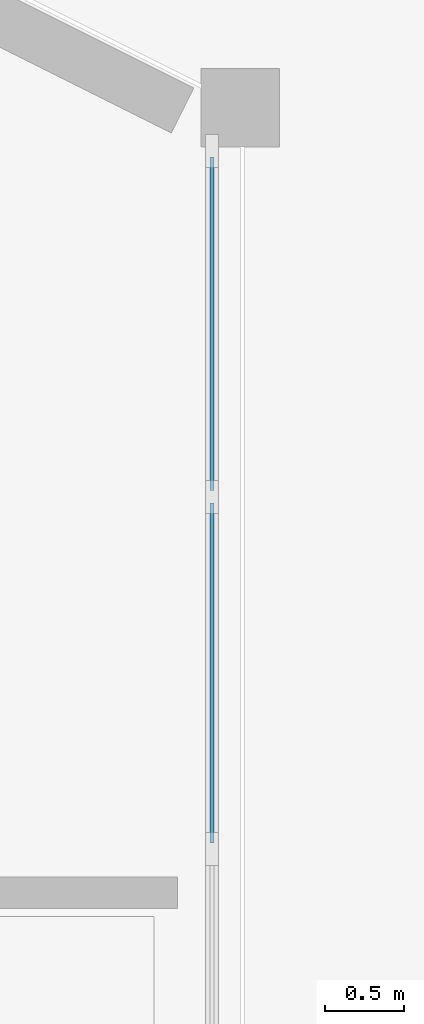
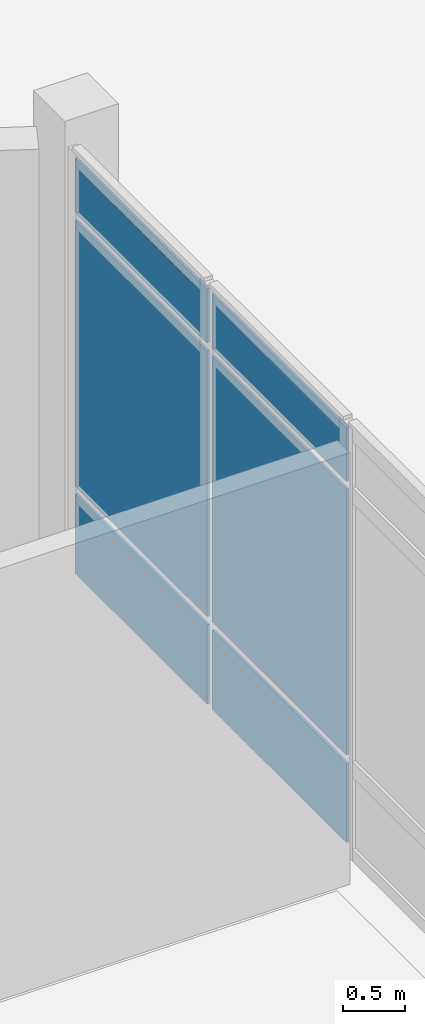
# One storey, part 24 of 58: 6 plates, 1 element without a shape of its own.
"""IFC4 building model written with IfcOpenShell, lengths in metres."""

from ifc_helpers import new_model, si_unit, direction, frame, origin, origin_2d, place, context, subcontext, project, spatial, rectangle, extrude, material, layer, layer_set, type_object, element, aggregate, save


model = new_model("IFC4")

# Units and contexts
model_context = context("Model", 3, precision=1e-05, world=origin(), true_north=direction((0.0, 1.0)))
body_context = subcontext(model_context, "Body", "Model", "MODEL_VIEW")
ifc_project = project(units=[si_unit("LENGTHUNIT", "METRE"), si_unit("AREAUNIT", "SQUARE_METRE"), si_unit("VOLUMEUNIT", "CUBIC_METRE"), si_unit("PLANEANGLEUNIT", "RADIAN"), si_unit("MASSUNIT", "GRAM", prefix="KILO")], contexts=[model_context])

# Site, building, storey
site_placement = place(None, origin())
site = spatial("IfcSite", under=ifc_project, at=site_placement, CompositionType="ELEMENT")
building_placement = place(site_placement, origin())
building = spatial("IfcBuilding", under=site, at=building_placement, Name="Brisavento Harbour Community Centre", CompositionType="ELEMENT")
storey_placement = place(building_placement, origin())
storey = spatial("IfcBuildingStorey", under=building, at=storey_placement, Name="L00", CompositionType="ELEMENT", Elevation=0.0)

# Curtain wall, plates
ifc_material_1 = material(Name="Marine-anodised aluminium AW-6063-T6", Category="aluminium")
ifc_layer_1 = layer(ifc_material_1, 0.179931640625, Name="Marine-anodised aluminium AW-6063-T6")
ifc_layer_set_1 = layer_set([ifc_layer_1], Name="Marine-anodised aluminium AW-6063-T6")
curtain_wall_type = type_object("IfcCurtainWallType", Name="CW-SYS-16", PredefinedType="USERDEFINED", material=ifc_layer_set_1)
curtain_wall_placement = place(storey_placement, origin())
curtain_wall = element("IfcCurtainWall", 1, at=curtain_wall_placement, inside=storey, type_object=curtain_wall_type, Name="L00 V5 unitised curtain wall 016", ObjectType="UNITISED CURTAIN WALL", PredefinedType="USERDEFINED")
ifc_material_2 = material(Name="Solar-control laminated low-E glass", Category="glass")
ifc_layer_2 = layer(ifc_material_2, 0.02392578125, Name="Solar-control laminated low-E glass")
ifc_layer_set_2 = layer_set([ifc_layer_2], Name="Solar-control laminated low-E glass")
plate_type = type_object("IfcPlateType", Name="CWP-GLZ-1", PredefinedType="CURTAIN_PANEL", material=ifc_layer_set_2)
plate_1_placement = place(storey_placement, frame((35.820068359375, 99.42333984375, 0.080078125), z_axis=(0.0, 0.0, 1.0), x_axis=(0.0, -1.0, 0.0)))
plate_1 = element("IfcPlate", 2, at=plate_1_placement, type_object=plate_type, Name="CW-16 panel 1.1", PredefinedType="CURTAIN_PANEL", context=body_context, shape_type="SweptSolid", body=[
    extrude(rectangle(XDim=2.123291015625, YDim=0.02392578125, at=origin_2d()), origin(), (0.0, 0.0, 1.0), 0.780029296875),
])
plate_2_placement = place(storey_placement, frame((35.820068359375, 99.42333984375, 0.93994140625), z_axis=(0.0, 0.0, 1.0), x_axis=(0.0, -1.0, 0.0)))
plate_2 = element("IfcPlate", 3, at=plate_2_placement, type_object=plate_type, Name="CW-16 panel 1.2", PredefinedType="CURTAIN_PANEL", context=body_context, shape_type="SweptSolid", body=[
    extrude(rectangle(XDim=2.123291015625, YDim=0.02392578125, at=origin_2d()), origin(), (0.0, 0.0, 1.0), 2.610107421875),
])
plate_3_placement = place(storey_placement, frame((35.820068359375, 99.42333984375, 3.6298828125), z_axis=(0.0, 0.0, 1.0), x_axis=(0.0, -1.0, 0.0)))
plate_3 = element("IfcPlate", 4, at=plate_3_placement, type_object=plate_type, Name="CW-16 panel 1.3", PredefinedType="CURTAIN_PANEL", context=body_context, shape_type="SweptSolid", body=[
    extrude(rectangle(XDim=2.123291015625, YDim=0.02392578125, at=origin_2d()), origin(), (0.0, 0.0, 1.0), 0.530029296875),
])
plate_4_placement = place(storey_placement, frame((35.820068359375, 97.199951171875, 0.080078125), z_axis=(0.0, 0.0, 1.0), x_axis=(0.0, -1.0, 0.0)))
plate_4 = element("IfcPlate", 5, at=plate_4_placement, type_object=plate_type, Name="CW-16 panel 2.1", PredefinedType="CURTAIN_PANEL", context=body_context, shape_type="SweptSolid", body=[
    extrude(rectangle(XDim=2.163330078125, YDim=0.02392578125, at=origin_2d()), origin(), (0.0, 0.0, 1.0), 0.780029296875),
])
plate_5_placement = place(storey_placement, frame((35.820068359375, 97.199951171875, 0.93994140625), z_axis=(0.0, 0.0, 1.0), x_axis=(0.0, -1.0, 0.0)))
plate_5 = element("IfcPlate", 6, at=plate_5_placement, type_object=plate_type, Name="CW-16 panel 2.2", PredefinedType="CURTAIN_PANEL", context=body_context, shape_type="SweptSolid", body=[
    extrude(rectangle(XDim=2.163330078125, YDim=0.02392578125, at=origin_2d()), origin(), (0.0, 0.0, 1.0), 2.610107421875),
])
plate_6_placement = place(storey_placement, frame((35.820068359375, 97.199951171875, 3.6298828125), z_axis=(0.0, 0.0, 1.0), x_axis=(0.0, -1.0, 0.0)))
plate_6 = element("IfcPlate", 7, at=plate_6_placement, type_object=plate_type, Name="CW-16 panel 2.3", PredefinedType="CURTAIN_PANEL", context=body_context, shape_type="SweptSolid", body=[
    extrude(rectangle(XDim=2.163330078125, YDim=0.02392578125, at=origin_2d()), origin(), (0.0, 0.0, 1.0), 0.530029296875),
])
aggregate(curtain_wall, [plate_1, plate_2, plate_3, plate_4, plate_5, plate_6])

save(model, "model.ifc")
